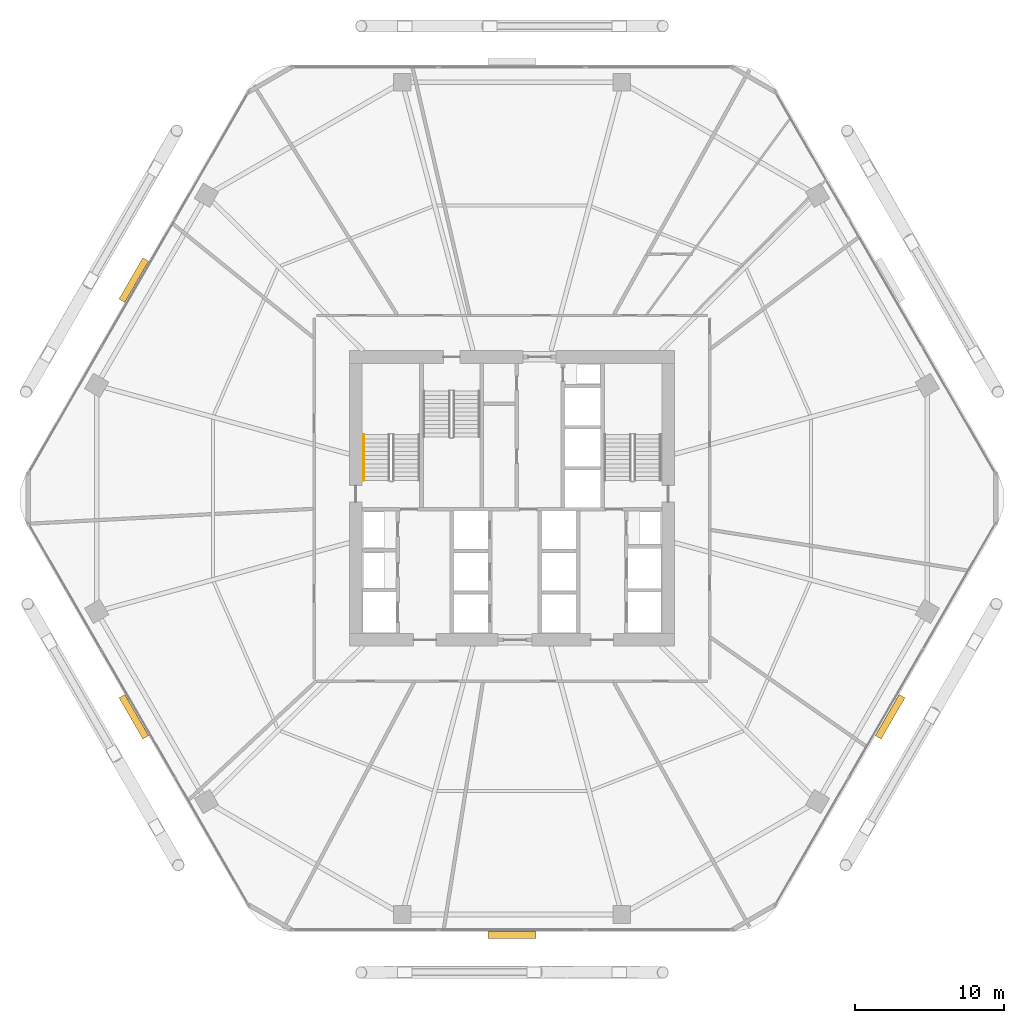
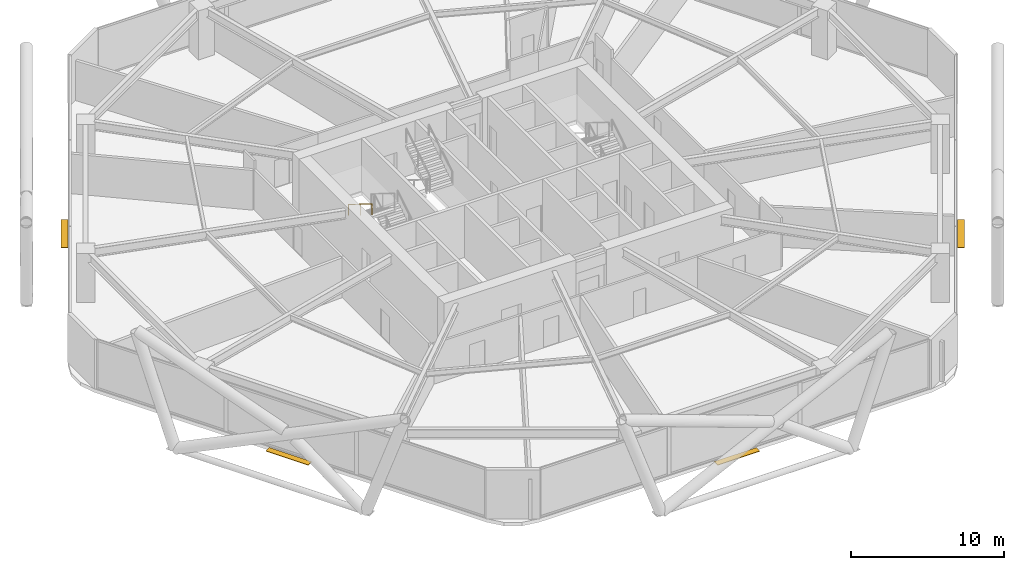
# One storey, part 28 of 30: 4 shading devices, 1 railing.
"""IFC4 building model written with IfcOpenShell, lengths in metres."""

from ifc_helpers import new_model, si_unit, direction, frame, origin, origin_2d, place, context, subcontext, project, spatial, rectangle, extrude, material, layer, layer_set, type_object, element, save


model = new_model("IFC4")

# Units and contexts
model_context = context("Model", 3, precision=1e-05, world=origin(), true_north=direction((0.0, 1.0)))
body_context = subcontext(model_context, "Body", "Model", "MODEL_VIEW")
ifc_project = project(units=[si_unit("LENGTHUNIT", "METRE"), si_unit("AREAUNIT", "SQUARE_METRE"), si_unit("VOLUMEUNIT", "CUBIC_METRE"), si_unit("PLANEANGLEUNIT", "RADIAN"), si_unit("MASSUNIT", "GRAM", prefix="KILO")], contexts=[model_context])

# Site, building, storey
site_placement = place(None, origin())
site = spatial("IfcSite", under=ifc_project, at=site_placement, CompositionType="ELEMENT")
building_placement = place(site_placement, origin())
building = spatial("IfcBuilding", under=site, at=building_placement, Name="Zuhravey Tower", CompositionType="ELEMENT")
storey_placement = place(building_placement, frame((0.0, 0.0, 33.0)))
storey = spatial("IfcBuildingStorey", under=building, at=storey_placement, Name="L08", CompositionType="ELEMENT", Elevation=33.0)

# Shading devices
ifc_material_1 = material(Name="Bronze-anodised extruded aluminium", Category="aluminium")
ifc_layer = layer(ifc_material_1, 0.0400390625)
ifc_layer_set = layer_set([ifc_layer], Name="Bronze-anodised extruded aluminium")
shading_device_type = type_object("IfcShadingDeviceType", Name="Horizontal Sunshade Fin", PredefinedType="JALOUSIE", material=ifc_layer_set)
for number, where, z_axis, x_axis, name in (
    (1, (61.394775390625, 17.33837890625, -0.10009765625), (0.0, 0.0, 1.0), (-0.5, -0.866025403784, 0.0), "L08 Face 6 Horizontal Sunshade Fin SUN1"),
    (2, (36.0, 2.676513671875, -0.10009765625), (0.0, 0.0, 1.0), (-1.0, 0.0, 0.0), "L08 Face 5 Horizontal Sunshade Fin SUN1"),
    (3, (10.605224609375, 17.33837890625, -0.10009765625), (0.0, 0.0, 1.0), (-0.5, 0.866025403784, 0.0), "L08 Face 4 Horizontal Sunshade Fin SUN1"),
    (4, (10.605224609375, 46.66162109375, -0.10009765625), (0.0, 0.0, 1.0), (0.5, 0.866025403784, 0.0), "L08 Face 3 Horizontal Sunshade Fin SUN1"),
):
    element("IfcShadingDevice", number, at=place(storey_placement, frame(where, z_axis=z_axis, x_axis=x_axis)), inside=storey, type_object=shading_device_type, Name=name, PredefinedType="JALOUSIE", context=body_context, shape_type="SweptSolid", body=[
        extrude(rectangle(XDim=3.199951171875, YDim=0.449951171875, at=origin_2d()), origin(), (0.0, 0.0, 1.0), 0.0400390625),
    ])

# Railing
ifc_material_2 = material(Name="Brushed stainless steel", Category="steel")
railing_type = type_object("IfcRailingType", Name="Stair Wall Handrail 900", PredefinedType="HANDRAIL", material=ifc_material_2)
railing_placement = place(storey_placement, frame((26.050048828125, 36.280029296875, 2.27490234375)))
element("IfcRailing", 5, at=railing_placement, inside=storey, type_object=railing_type, Name="L08 ST1 stair handrail 2", PredefinedType="HANDRAIL", context=body_context, shape_type="SweptSolid", body=[
    extrude(rectangle(XDim=0.048095703125, YDim=0.048095703125, at=origin_2d()), frame((0.0, -0.001708984375, 0.876953125), z_axis=(0.0, -0.847998304005, 0.529998940003), x_axis=(1.0, 0.0, 0.0)), (0.0, 0.0, 1.0), 3.628173828125),
    extrude(rectangle(XDim=0.0419921875, YDim=0.0419921875, at=origin_2d()), origin(), (0.0, 0.0, 1.0), 0.849853515625),
    extrude(rectangle(XDim=0.0419921875, YDim=0.0419921875, at=origin_2d()), frame((0.0, -1.5400390625, 0.96240234375)), (0.0, 0.0, 1.0), 0.849853515625),
    extrude(rectangle(XDim=0.0419921875, YDim=0.0419921875, at=origin_2d()), frame((0.0, -3.080078125, 1.925048828125)), (0.0, 0.0, 1.0), 0.849853515625),
])

save(model, "model.ifc")
